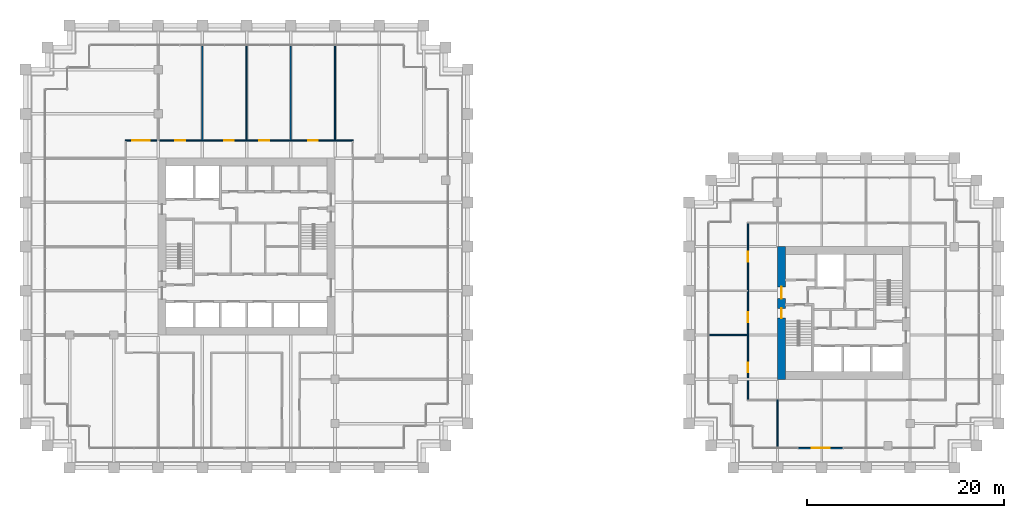
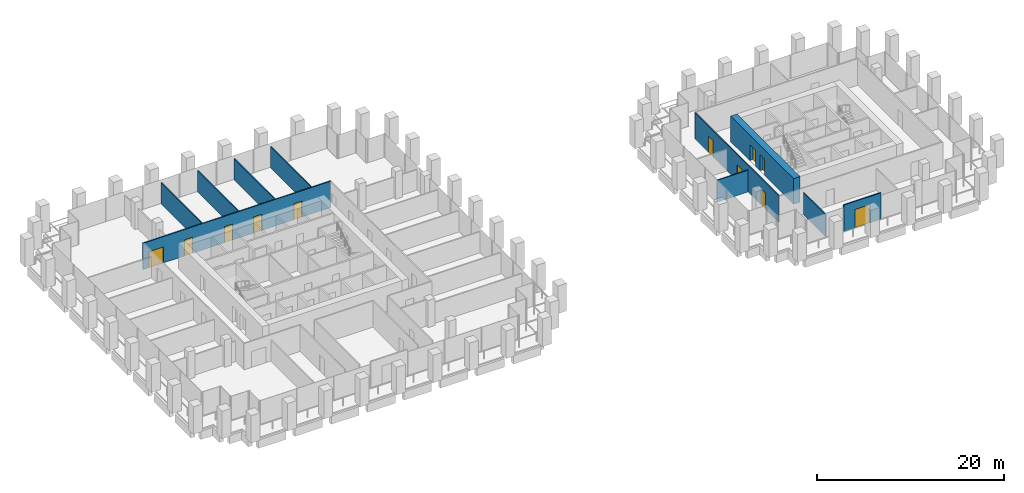
# One storey, part 52 of 56: 11 doors, 10 walls, 11 openings.
"""IFC4 building model written with IfcOpenShell, lengths in metres."""

from ifc_helpers import new_model, si_unit, direction, frame, frame_2d, origin, place, context, subcontext, project, spatial, rectangle, extrude, material, layer, layer_set, type_object, element, fill, save


model = new_model("IFC4")

# Units and contexts
model_context = context("Model", 3, precision=1e-05, world=origin(), true_north=direction((0.0, 1.0)))
body_context = subcontext(model_context, "Body", "Model", "MODEL_VIEW")
ifc_project = project(units=[si_unit("LENGTHUNIT", "METRE"), si_unit("AREAUNIT", "SQUARE_METRE"), si_unit("VOLUMEUNIT", "CUBIC_METRE"), si_unit("PLANEANGLEUNIT", "RADIAN"), si_unit("MASSUNIT", "GRAM", prefix="KILO")], contexts=[model_context])

# Site, building, storey
site_placement = place(None, origin())
site = spatial("IfcSite", under=ifc_project, at=site_placement, CompositionType="ELEMENT")
building_placement = place(site_placement, origin())
building = spatial("IfcBuilding", under=site, at=building_placement, Name="Altepetl Exchange Towers", CompositionType="ELEMENT")
storey_placement = place(building_placement, frame((0.0, 0.0, 72.60009765625)))
storey = spatial("IfcBuildingStorey", under=building, at=storey_placement, Name="L17", CompositionType="ELEMENT", Elevation=72.60009765625)

# Wall, openings, doors
ifc_material_1 = material(Name="Concrete C70/85", Category="concrete")
ifc_layer_1 = layer(ifc_material_1, 0.800048828125)
ifc_layer_set_1 = layer_set([ifc_layer_1], Name="Concrete C70/85")
wall_type_1 = type_object("IfcWallType", Name="Core wall 800 reinforced concrete", PredefinedType="SHEAR", material=ifc_layer_set_1)
wall_1_placement = place(storey_placement, frame((103.89990234375, 36.0, 0.0), z_axis=(0.0, 0.0, 1.0), x_axis=(0.0, 1.0, 0.0)))
wall_1 = element("IfcWall", 1, at=wall_1_placement, inside=storey, type_object=wall_type_1, Name="wall:B:L17:K-coreW", PredefinedType="SHEAR", context=body_context, shape_type="SweptSolid", body=[
    extrude(rectangle(XDim=13.5, YDim=0.800048828125, at=frame_2d((6.75, 0.0))), origin(), (0.0, 0.0, 1.0), 3.349853515625),
])
opening_1_placement = place(wall_1_placement, frame((8.199951171875, 0.0, 0.0)))
opening_1 = element("IfcOpeningElement", 2, at=opening_1_placement, cuts=wall_1, Name="Opening L17.B60", PredefinedType="OPENING", context=body_context, shape_type="SweptSolid", body=[
    extrude(rectangle(XDim=1.199951171875, YDim=2.10009765625, at=frame_2d((0.60009765625, 1.050048828125))), frame((0.0, 0.41015625, 0.0), z_axis=(0.0, -1.0, 0.0), x_axis=(1.0, 0.0, 0.0)), (0.0, 0.0, 1.0), 0.820068359375),
])
opening_2_placement = place(wall_1_placement, frame((6.22509765625, 0.0, 0.0)))
opening_2 = element("IfcOpeningElement", 3, at=opening_2_placement, cuts=wall_1, Name="Opening L17.B63", PredefinedType="OPENING", context=body_context, shape_type="SweptSolid", body=[
    extrude(rectangle(XDim=1.0, YDim=2.10009765625, at=frame_2d((0.5, 1.050048828125))), frame((0.0, 0.41015625, 0.0), z_axis=(0.0, -1.0, 0.0), x_axis=(1.0, 0.0, 0.0)), (0.0, 0.0, 1.0), 0.820068359375),
])
ifc_material_2 = material(Name="Steel and timber fire door", Category="steel")
door_type_1 = type_object("IfcDoorType", Name="Fire door 1000 x 2100 stair and lobby", OperationType="SINGLE_SWING_LEFT", PredefinedType="DOOR", material=ifc_material_2)
door_1_placement = place(opening_2_placement, frame((1.0, 0.0, 0.0), x_axis=(-1.0, 0.0, 0.0)))
door_1 = element("IfcDoor", 4, at=door_1_placement, inside=storey, type_object=door_type_1, Name="door:B:L17:K-dS1x", OperationType="SINGLE_SWING_RIGHT", OverallHeight=2.10009765625, OverallWidth=1.0, PredefinedType="DOOR", context=body_context, shape_type="SweptSolid", body=[
    extrude(rectangle(XDim=1.0, YDim=2.10009765625, at=frame_2d((0.5, 1.050048828125))), frame((0.0, 0.02490234375, 0.0), z_axis=(0.0, -1.0, 0.0), x_axis=(1.0, 0.0, 0.0)), (0.0, 0.0, 1.0), 0.050048828125),
])
fill(opening_2, door_1)
door_type_2 = type_object("IfcDoorType", Name="Fire door 1200 x 2100 lobby entry", OperationType="SINGLE_SWING_LEFT", PredefinedType="DOOR", material=ifc_material_2)
door_2_placement = place(opening_1_placement, frame((1.199951171875, 0.0, 0.0), x_axis=(-1.0, 0.0, 0.0)))
door_2 = element("IfcDoor", 5, at=door_2_placement, inside=storey, type_object=door_type_2, Name="door:B:L17:K-dLNW", OperationType="SINGLE_SWING_RIGHT", OverallHeight=2.10009765625, OverallWidth=1.199951171875, PredefinedType="DOOR", context=body_context, shape_type="SweptSolid", body=[
    extrude(rectangle(XDim=1.199951171875, YDim=2.10009765625, at=frame_2d((0.60009765625, 1.050048828125))), frame((0.0, 0.02490234375, 0.0), z_axis=(0.0, -1.0, 0.0), x_axis=(1.0, 0.0, 0.0)), (0.0, 0.0, 1.0), 0.050048828125),
])
fill(opening_1, door_2)

# Wall, opening, door
ifc_material_3 = material(Name="Aluminium composite cladding", Category="aluminium")
ifc_layer_2 = layer(ifc_material_3, 0.14990234375)
ifc_layer_set_2 = layer_set([ifc_layer_2], Name="Aluminium composite cladding")
wall_type_2 = type_object("IfcWallType", Name="Infill wall 150 aluminium panel", PredefinedType="SOLIDWALL", material=ifc_layer_set_2)
wall_2_placement = place(storey_placement, frame((105.606201171875, 29.0, 0.0)))
wall_2 = element("IfcWall", 6, at=wall_2_placement, inside=storey, type_object=wall_type_2, Name="Loggia door bay wall", PredefinedType="SOLIDWALL", context=body_context, shape_type="SweptSolid", body=[
    extrude(rectangle(XDim=4.606201171875, YDim=0.14990234375, at=frame_2d((2.30322265625, 0.0))), origin(), (0.0, 0.0, 1.0), 3.449951171875),
])
opening_3_placement = place(wall_2_placement, frame((1.403076171875, 0.0, 0.0)))
opening_3 = element("IfcOpeningElement", 7, at=opening_3_placement, cuts=wall_2, Name="Opening L17.B90", PredefinedType="OPENING", context=body_context, shape_type="SweptSolid", body=[
    extrude(rectangle(XDim=1.800048828125, YDim=2.39990234375, at=frame_2d((0.89990234375, 1.199951171875))), frame((0.0, 0.0849609375, 0.0), z_axis=(0.0, -1.0, 0.0), x_axis=(1.0, 0.0, 0.0)), (0.0, 0.0, 1.0), 0.169921875),
])
ifc_material_4 = material(Name="Aluminium 6063-T6 and glass", Category="aluminium")
door_type_3 = type_object("IfcDoorType", Name="Glazed door pair 1800x2400", OperationType="DOUBLE_DOOR_DOUBLE_SWING", PredefinedType="NOTDEFINED", material=ifc_material_4)
door_3_placement = place(opening_3_placement, frame((1.800048828125, 0.0, 0.0), x_axis=(-1.0, 0.0, 0.0)))
door_3 = element("IfcDoor", 8, at=door_3_placement, inside=storey, type_object=door_type_3, Name="Loggia door", OperationType="DOUBLE_DOOR_DOUBLE_SWING", OverallHeight=2.39990234375, OverallWidth=1.800048828125, PredefinedType="NOTDEFINED", context=body_context, shape_type="SweptSolid", body=[
    extrude(rectangle(XDim=1.800048828125, YDim=2.39990234375, at=frame_2d((0.89990234375, 1.199951171875))), frame((0.0, 0.02490234375, 0.0), z_axis=(0.0, -1.0, 0.0), x_axis=(1.0, 0.0, 0.0)), (0.0, 0.0, 1.0), 0.050048828125),
])
fill(opening_3, door_3)

# Walls
ifc_material_5 = material(Name="Timber panels on aluminium track", Category="wood")
ifc_layer_3 = layer(ifc_material_5, 0.125)
ifc_layer_set_3 = layer_set([ifc_layer_3], Name="Timber panels on aluminium track")
wall_type_3 = type_object("IfcWallType", Name="Operable acoustic partition 125", PredefinedType="MOVABLE", material=ifc_layer_set_3)
for number, where, z_axis, x_axis, name in (
    (9, (45.0, 60.300048828125, 0.0), (0.0, 0.0, 1.0), (0.0, 1.0, 0.0), "wall:A:L17:P27"),
    (10, (49.5, 60.300048828125, 0.0), (0.0, 0.0, 1.0), (0.0, 1.0, 0.0), "wall:A:L17:P29"),
    (11, (54.0, 60.300048828125, 0.0), (0.0, 0.0, 1.0), (0.0, 1.0, 0.0), "wall:A:L17:P31"),
):
    element("IfcWall", number, at=place(storey_placement, frame(where, z_axis=z_axis, x_axis=x_axis)), inside=storey, type_object=wall_type_3, Name=name, PredefinedType="MOVABLE", context=body_context, shape_type="SweptSolid", body=[
        extrude(rectangle(XDim=9.599853515625, YDim=0.125, at=frame_2d((4.7998046875, 0.0))), origin(), (0.0, 0.0, 1.0), 2.765869140625),
    ])
wall_3_placement = place(storey_placement, frame((103.5, 29.10009765625, 0.0), z_axis=(0.0, 0.0, 1.0), x_axis=(0.0, 1.0, 0.0)))
element("IfcWall", 12, at=wall_3_placement, inside=storey, type_object=wall_type_3, Name="wall:B:L17:P08", PredefinedType="MOVABLE", context=body_context, shape_type="SweptSolid", body=[
    extrude(rectangle(XDim=4.7998046875, YDim=0.125, at=frame_2d((2.39990234375, 0.0))), origin(), (0.0, 0.0, 1.0), 2.850830078125),
])

# Wall, openings, doors
ifc_material_6 = material(Name="Gypsum board on steel studs", Category="steel")
ifc_layer_4 = layer(ifc_material_6, 0.125)
ifc_layer_set_4 = layer_set([ifc_layer_4], Name="Gypsum board on steel studs")
wall_type_4 = type_object("IfcWallType", Name="Partition 125 gypsum board on steel studs", PredefinedType="PARTITIONING", material=ifc_layer_set_4)
wall_4_placement = place(storey_placement, frame((37.137451171875, 60.300048828125, 0.0)))
wall_4 = element("IfcWall", 13, at=wall_4_placement, inside=storey, type_object=wall_type_4, Name="wall:A:L17:P20", PredefinedType="PARTITIONING", context=body_context, shape_type="SweptSolid", body=[
    extrude(rectangle(XDim=23.22509765625, YDim=0.125, at=frame_2d((11.612548828125, 0.0))), origin(), (0.0, 0.0, 1.0), 3.449951171875),
])
opening_4_placement = place(wall_4_placement, frame((18.612548828125, 0.0, 0.0)))
opening_4 = element("IfcOpeningElement", 14, at=opening_4_placement, cuts=wall_4, Name="Opening L17.A13", PredefinedType="OPENING", context=body_context, shape_type="SweptSolid", body=[
    extrude(rectangle(XDim=1.0, YDim=2.10009765625, at=frame_2d((0.5, 1.050048828125))), frame((0.0, 0.072509765625, 0.0), z_axis=(0.0, -1.0, 0.0), x_axis=(1.0, 0.0, 0.0)), (0.0, 0.0, 1.0), 0.14501953125),
])
opening_5_placement = place(wall_4_placement, frame((13.657470703125, 0.0, 0.0)))
opening_5 = element("IfcOpeningElement", 15, at=opening_5_placement, cuts=wall_4, Name="Opening L17.A14", PredefinedType="OPENING", context=body_context, shape_type="SweptSolid", body=[
    extrude(rectangle(XDim=1.0, YDim=2.10009765625, at=frame_2d((0.5, 1.050048828125))), frame((0.0, 0.072509765625, 0.0), z_axis=(0.0, -1.0, 0.0), x_axis=(1.0, 0.0, 0.0)), (0.0, 0.0, 1.0), 0.14501953125),
])
opening_6_placement = place(wall_4_placement, frame((10.0673828125, 0.0, 0.0)))
opening_6 = element("IfcOpeningElement", 16, at=opening_6_placement, cuts=wall_4, Name="Opening L17.A15", PredefinedType="OPENING", context=body_context, shape_type="SweptSolid", body=[
    extrude(rectangle(XDim=1.0, YDim=2.10009765625, at=frame_2d((0.5, 1.050048828125))), frame((0.0, 0.072509765625, 0.0), z_axis=(0.0, -1.0, 0.0), x_axis=(1.0, 0.0, 0.0)), (0.0, 0.0, 1.0), 0.14501953125),
])
opening_7_placement = place(wall_4_placement, frame((5.112548828125, 0.0, 0.0)))
opening_7 = element("IfcOpeningElement", 17, at=opening_7_placement, cuts=wall_4, Name="Opening L17.A16", PredefinedType="OPENING", context=body_context, shape_type="SweptSolid", body=[
    extrude(rectangle(XDim=1.0, YDim=2.10009765625, at=frame_2d((0.5, 1.050048828125))), frame((0.0, 0.072509765625, 0.0), z_axis=(0.0, -1.0, 0.0), x_axis=(1.0, 0.0, 0.0)), (0.0, 0.0, 1.0), 0.14501953125),
])
opening_8_placement = place(wall_4_placement, frame((0.70751953125, 0.0, 0.0)))
opening_8 = element("IfcOpeningElement", 18, at=opening_8_placement, cuts=wall_4, Name="Opening L17.A17", PredefinedType="OPENING", context=body_context, shape_type="SweptSolid", body=[
    extrude(rectangle(XDim=1.800048828125, YDim=2.10009765625, at=frame_2d((0.89990234375, 1.050048828125))), frame((0.0, 0.072509765625, 0.0), z_axis=(0.0, -1.0, 0.0), x_axis=(1.0, 0.0, 0.0)), (0.0, 0.0, 1.0), 0.14501953125),
])
door_type_4 = type_object("IfcDoorType", Name="Fire door 1000 x 2100 single leaf", OperationType="SINGLE_SWING_LEFT", PredefinedType="DOOR", material=ifc_material_2)
door_4_placement = place(opening_4_placement, origin())
door_4 = element("IfcDoor", 19, at=door_4_placement, inside=storey, type_object=door_type_4, Name="door:A:L17:13", OperationType="SINGLE_SWING_RIGHT", OverallHeight=2.10009765625, OverallWidth=1.0, PredefinedType="DOOR", context=body_context, shape_type="SweptSolid", body=[
    extrude(rectangle(XDim=1.0, YDim=2.10009765625, at=frame_2d((0.5, 1.050048828125))), frame((0.0, 0.02490234375, 0.0), z_axis=(0.0, -1.0, 0.0), x_axis=(1.0, 0.0, 0.0)), (0.0, 0.0, 1.0), 0.050048828125),
])
fill(opening_4, door_4)
door_5_placement = place(opening_5_placement, origin())
door_5 = element("IfcDoor", 20, at=door_5_placement, inside=storey, type_object=door_type_4, Name="door:A:L17:14", OperationType="SINGLE_SWING_LEFT", OverallHeight=2.10009765625, OverallWidth=1.0, PredefinedType="DOOR", context=body_context, shape_type="SweptSolid", body=[
    extrude(rectangle(XDim=1.0, YDim=2.10009765625, at=frame_2d((0.5, 1.050048828125))), frame((0.0, 0.02490234375, 0.0), z_axis=(0.0, -1.0, 0.0), x_axis=(1.0, 0.0, 0.0)), (0.0, 0.0, 1.0), 0.050048828125),
])
fill(opening_5, door_5)
door_6_placement = place(opening_6_placement, origin())
door_6 = element("IfcDoor", 21, at=door_6_placement, inside=storey, type_object=door_type_4, Name="door:A:L17:15", OperationType="SINGLE_SWING_RIGHT", OverallHeight=2.10009765625, OverallWidth=1.0, PredefinedType="DOOR", context=body_context, shape_type="SweptSolid", body=[
    extrude(rectangle(XDim=1.0, YDim=2.10009765625, at=frame_2d((0.5, 1.050048828125))), frame((0.0, 0.02490234375, 0.0), z_axis=(0.0, -1.0, 0.0), x_axis=(1.0, 0.0, 0.0)), (0.0, 0.0, 1.0), 0.050048828125),
])
fill(opening_6, door_6)
door_7_placement = place(opening_7_placement, origin())
door_7 = element("IfcDoor", 22, at=door_7_placement, inside=storey, type_object=door_type_4, Name="door:A:L17:16", OperationType="SINGLE_SWING_LEFT", OverallHeight=2.10009765625, OverallWidth=1.0, PredefinedType="DOOR", context=body_context, shape_type="SweptSolid", body=[
    extrude(rectangle(XDim=1.0, YDim=2.10009765625, at=frame_2d((0.5, 1.050048828125))), frame((0.0, 0.02490234375, 0.0), z_axis=(0.0, -1.0, 0.0), x_axis=(1.0, 0.0, 0.0)), (0.0, 0.0, 1.0), 0.050048828125),
])
fill(opening_7, door_7)
door_type_5 = type_object("IfcDoorType", Name="Fire door 1800 x 2100 double leaf", OperationType="DOUBLE_DOOR_SINGLE_SWING", PredefinedType="DOOR", material=ifc_material_2)
door_8_placement = place(opening_8_placement, origin())
door_8 = element("IfcDoor", 23, at=door_8_placement, inside=storey, type_object=door_type_5, Name="door:A:L17:17", OperationType="DOUBLE_DOOR_SINGLE_SWING", OverallHeight=2.10009765625, OverallWidth=1.800048828125, PredefinedType="DOOR", context=body_context, shape_type="SweptSolid", body=[
    extrude(rectangle(XDim=1.800048828125, YDim=2.10009765625, at=frame_2d((0.89990234375, 1.050048828125))), frame((0.0, 0.02490234375, 0.0), z_axis=(0.0, -1.0, 0.0), x_axis=(1.0, 0.0, 0.0)), (0.0, 0.0, 1.0), 0.050048828125),
])
fill(opening_8, door_8)

# Walls
wall_5_placement = place(storey_placement, frame((58.5, 60.300048828125, 0.0), z_axis=(0.0, 0.0, 1.0), x_axis=(0.0, 1.0, 0.0)))
element("IfcWall", 24, at=wall_5_placement, inside=storey, type_object=wall_type_4, Name="wall:A:L17:P33", PredefinedType="PARTITIONING", context=body_context, shape_type="SweptSolid", body=[
    extrude(rectangle(XDim=9.599853515625, YDim=0.125, at=frame_2d((4.7998046875, 0.0))), origin(), (0.0, 0.0, 1.0), 2.765869140625),
])
wall_6_placement = place(storey_placement, frame((96.60009765625, 40.5, 0.0)))
element("IfcWall", 25, at=wall_6_placement, inside=storey, type_object=wall_type_4, Name="wall:B:L17:P02", PredefinedType="PARTITIONING", context=body_context, shape_type="SweptSolid", body=[
    extrude(rectangle(XDim=3.89990234375, YDim=0.125, at=frame_2d((1.949951171875, 0.0))), origin(), (0.0, 0.0, 1.0), 2.850830078125),
])

# Wall, openings, doors
wall_7_placement = place(storey_placement, frame((100.5, 33.96240234375, 0.0), z_axis=(0.0, 0.0, 1.0), x_axis=(0.0, 1.0, 0.0)))
wall_7 = element("IfcWall", 26, at=wall_7_placement, inside=storey, type_object=wall_type_4, Name="wall:B:L17:P07", PredefinedType="PARTITIONING", context=body_context, shape_type="SweptSolid", body=[
    extrude(rectangle(XDim=17.875, YDim=0.125, at=frame_2d((8.9375, 0.0))), origin(), (0.0, 0.0, 1.0), 3.449951171875),
])
opening_9_placement = place(wall_7_placement, frame((2.737548828125, 0.0, 0.0)))
opening_9 = element("IfcOpeningElement", 27, at=opening_9_placement, cuts=wall_7, Name="Opening L17.B01", PredefinedType="OPENING", context=body_context, shape_type="SweptSolid", body=[
    extrude(rectangle(XDim=1.0, YDim=2.10009765625, at=frame_2d((0.5, 1.050048828125))), frame((0.0, 0.072509765625, 0.0), z_axis=(0.0, -1.0, 0.0), x_axis=(1.0, 0.0, 0.0)), (0.0, 0.0, 1.0), 0.14501953125),
])
opening_10_placement = place(wall_7_placement, frame((13.987548828125, 0.0, 0.0)))
opening_10 = element("IfcOpeningElement", 28, at=opening_10_placement, cuts=wall_7, Name="Opening L17.B07", PredefinedType="OPENING", context=body_context, shape_type="SweptSolid", body=[
    extrude(rectangle(XDim=1.0, YDim=2.10009765625, at=frame_2d((0.5, 1.050048828125))), frame((0.0, 0.072509765625, 0.0), z_axis=(0.0, -1.0, 0.0), x_axis=(1.0, 0.0, 0.0)), (0.0, 0.0, 1.0), 0.14501953125),
])
opening_11_placement = place(wall_7_placement, frame((7.83251953125, 0.0, 0.0)))
opening_11 = element("IfcOpeningElement", 29, at=opening_11_placement, cuts=wall_7, Name="Opening L17.B08", PredefinedType="OPENING", context=body_context, shape_type="SweptSolid", body=[
    extrude(rectangle(XDim=1.0, YDim=2.10009765625, at=frame_2d((0.5, 1.050048828125))), frame((0.0, 0.072509765625, 0.0), z_axis=(0.0, -1.0, 0.0), x_axis=(1.0, 0.0, 0.0)), (0.0, 0.0, 1.0), 0.14501953125),
])
door_9_placement = place(opening_9_placement, origin())
door_9 = element("IfcDoor", 30, at=door_9_placement, inside=storey, type_object=door_type_4, Name="door:B:L17:01", OperationType="SINGLE_SWING_RIGHT", OverallHeight=2.10009765625, OverallWidth=1.0, PredefinedType="DOOR", context=body_context, shape_type="SweptSolid", body=[
    extrude(rectangle(XDim=1.0, YDim=2.10009765625, at=frame_2d((0.5, 1.050048828125))), frame((0.0, 0.02490234375, 0.0), z_axis=(0.0, -1.0, 0.0), x_axis=(1.0, 0.0, 0.0)), (0.0, 0.0, 1.0), 0.050048828125),
])
fill(opening_9, door_9)
door_10_placement = place(opening_10_placement, origin())
door_10 = element("IfcDoor", 31, at=door_10_placement, inside=storey, type_object=door_type_4, Name="door:B:L17:07", OperationType="SINGLE_SWING_LEFT", OverallHeight=2.10009765625, OverallWidth=1.0, PredefinedType="DOOR", context=body_context, shape_type="SweptSolid", body=[
    extrude(rectangle(XDim=1.0, YDim=2.10009765625, at=frame_2d((0.5, 1.050048828125))), frame((0.0, 0.02490234375, 0.0), z_axis=(0.0, -1.0, 0.0), x_axis=(1.0, 0.0, 0.0)), (0.0, 0.0, 1.0), 0.050048828125),
])
fill(opening_10, door_10)
door_11_placement = place(opening_11_placement, origin())
door_11 = element("IfcDoor", 32, at=door_11_placement, inside=storey, type_object=door_type_4, Name="door:B:L17:08", OperationType="SINGLE_SWING_LEFT", OverallHeight=2.10009765625, OverallWidth=1.0, PredefinedType="DOOR", context=body_context, shape_type="SweptSolid", body=[
    extrude(rectangle(XDim=1.0, YDim=2.10009765625, at=frame_2d((0.5, 1.050048828125))), frame((0.0, 0.02490234375, 0.0), z_axis=(0.0, -1.0, 0.0), x_axis=(1.0, 0.0, 0.0)), (0.0, 0.0, 1.0), 0.050048828125),
])
fill(opening_11, door_11)

save(model, "model.ifc")
